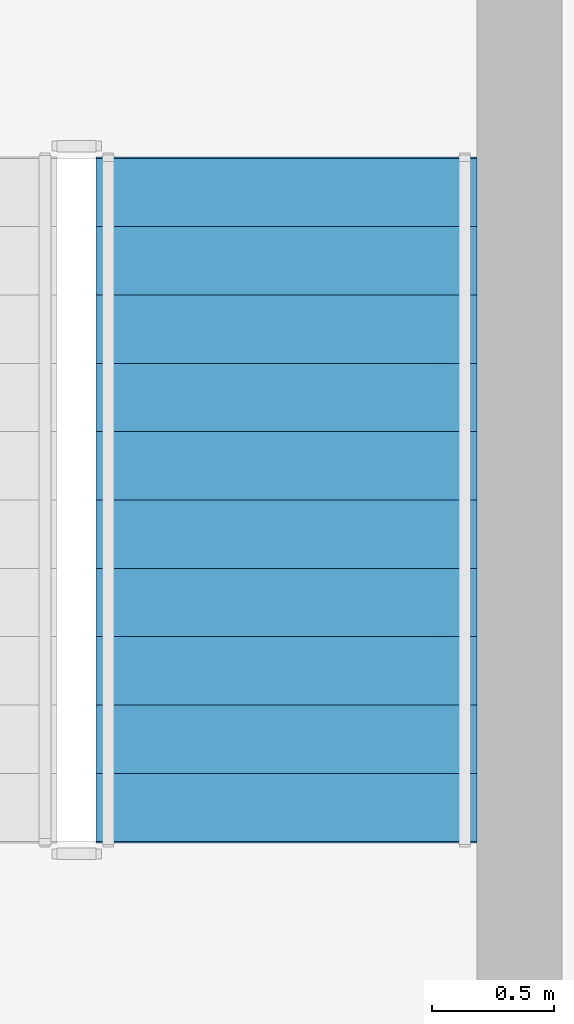
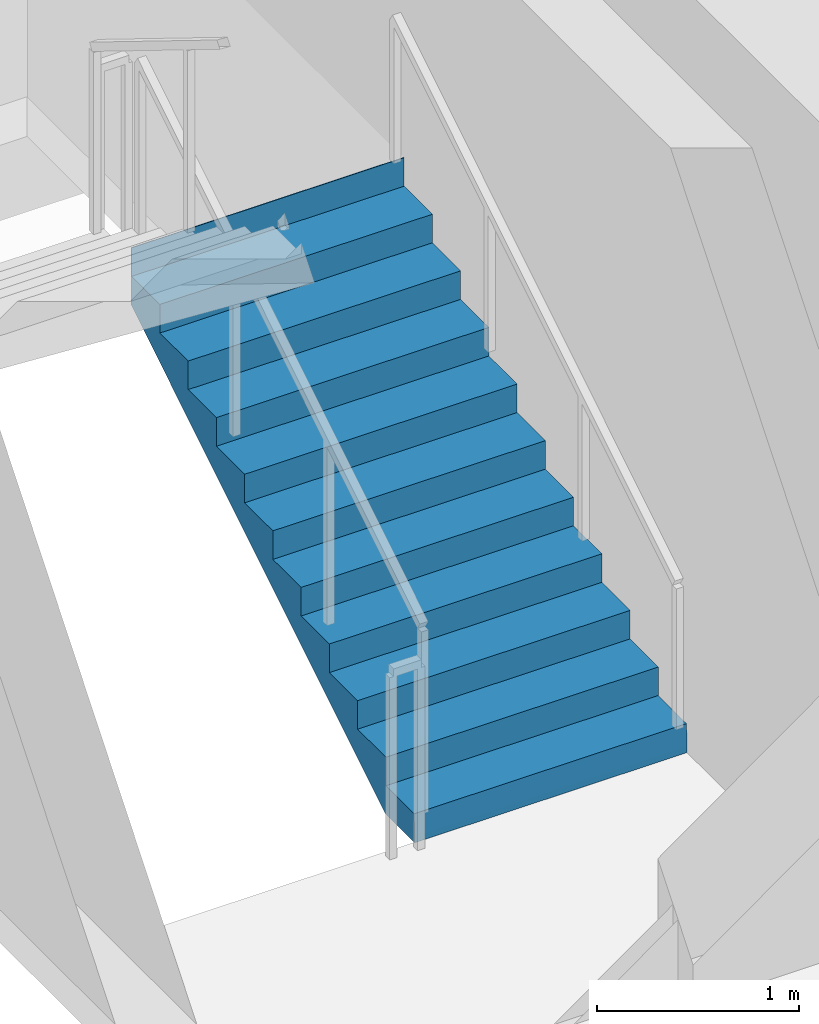
# One storey, part 9 of 14: 1 stair flight, 1 element without a shape of its own.
"""IFC4 building model written with IfcOpenShell, lengths in metres."""

import ifcopenshell
import ifcopenshell.guid

model = None  # the IFC model being written
_history = None  # IfcOwnerHistory: only IFC2X3 demands one
_inside = {}  # id of a spatial element -> (the spatial element, [elements in it])
_under = {}  # id of a project, library or spatial element -> (it, [spatial elements below it])
_declared = {}  # id of a project -> (the project, [libraries it declares])
_typed = {}  # id of a type object -> (the type object, [elements of that type])
_made_of = {}  # id of a material, layer set ... -> (it, [elements and type objects made of it])


def new_model(schema):
    """Start an empty IFC model of exactly this schema.

    Asked for "IFC4X3", IfcOpenShell would pick the latest addendum, in which some entities
    have other attributes; the version numbers below select the first issue.
    IFC2X3 requires an IfcOwnerHistory on every rooted entity: one is made here for all.
    """
    global model, _history
    if schema == "IFC4X3":
        model = ifcopenshell.file(schema_version=(4, 3, 0, 0))
    else:
        model = ifcopenshell.file(schema=schema)
    _inside.clear()
    _under.clear()
    _declared.clear()
    _typed.clear()
    _made_of.clear()
    _history = None
    if model.schema == "IFC2X3":
        org = make("IfcOrganization", Name="unknown")
        user = make(
            "IfcPersonAndOrganization",
            ThePerson=make("IfcPerson", FamilyName="unknown"),
            TheOrganization=org,
        )
        app = make(
            "IfcApplication",
            ApplicationDeveloper=org,
            Version="unknown",
            ApplicationFullName="unknown",
            ApplicationIdentifier="unknown",
        )
        _history = make(
            "IfcOwnerHistory",
            OwningUser=user,
            OwningApplication=app,
            ChangeAction="ADDED",
            CreationDate=0,
        )
    return model


def make(cls, **values):
    """One entity of the class cls with the attributes given. An attribute that is None is left unset."""
    return model.create_entity(
        cls, **{name: value for name, value in values.items() if value is not None}
    )


def rooted(cls, **values):
    """An entity with a GlobalId (a new one), such as an element, a storey or a relation."""
    return make(cls, GlobalId=ifcopenshell.guid.new(), OwnerHistory=_history, **values)


def si_unit(unit_type, name, prefix=None):
    """IfcSIUnit, for example si_unit("LENGTHUNIT", "METRE", prefix="MILLI")."""
    return make("IfcSIUnit", UnitType=unit_type, Prefix=prefix, Name=name)


def assignment(units):
    """IfcUnitAssignment: the units of a project."""
    return None if units is None else make("IfcUnitAssignment", Units=units)


def point(xyz):
    """IfcCartesianPoint."""
    return None if xyz is None else make("IfcCartesianPoint", Coordinates=xyz)


def direction(xyz):
    """IfcDirection."""
    return None if xyz is None else make("IfcDirection", DirectionRatios=xyz)


def frame(location, z_axis=None, x_axis=None):
    """IfcAxis2Placement3D, a coordinate frame: its origin and axes. An axis left out is left unset."""
    return make(
        "IfcAxis2Placement3D",
        Location=point(location),
        Axis=direction(z_axis),
        RefDirection=direction(x_axis),
    )


def origin():
    """The frame at (0, 0, 0) with its axes left unset."""
    return frame((0.0, 0.0, 0.0))


def place(relative_to, where):
    """IfcLocalPlacement: puts the frame where relative to a parent placement (None: the world)."""
    return make(
        "IfcLocalPlacement", PlacementRelTo=relative_to, RelativePlacement=where
    )


def context(
    kind, dimensions, precision=None, world=None, true_north=None, identifier=None
):
    """IfcGeometricRepresentationContext, for example the 3D "Model" context."""
    return make(
        "IfcGeometricRepresentationContext",
        ContextIdentifier=identifier,
        ContextType=kind,
        CoordinateSpaceDimension=dimensions,
        Precision=precision,
        WorldCoordinateSystem=world,
        TrueNorth=true_north,
    )


def subcontext(parent, identifier, kind, view, scale=None):
    """IfcGeometricRepresentationSubContext, for example "Body" below "Model"."""
    return make(
        "IfcGeometricRepresentationSubContext",
        ContextIdentifier=identifier,
        ContextType=kind,
        ParentContext=parent,
        TargetScale=scale,
        TargetView=view,
    )


def project(units=None, contexts=None):
    """IfcProject with its units and contexts."""
    return rooted(
        "IfcProject",
        Name="project",
        RepresentationContexts=contexts,
        UnitsInContext=assignment(units),
    )


def spatial(cls, under=None, at=None, **own):
    """A site, building, storey or space (cls), placed at a placement, below another one or the project."""
    s = rooted(cls, ObjectPlacement=at, **own)
    if under is not None:
        _under.setdefault(under.id(), (under, []))[1].append(s)
    return s


def polyline(points):
    """IfcPolyline through the points."""
    return make("IfcPolyline", Points=[point(p) for p in points])


def outline(outer, holes=None, kind="AREA"):
    """IfcArbitraryClosedProfileDef: a profile drawn as a closed curve; with holes, ...WithVoids."""
    if holes is None:
        return make("IfcArbitraryClosedProfileDef", ProfileType=kind, OuterCurve=outer)
    return make(
        "IfcArbitraryProfileDefWithVoids",
        ProfileType=kind,
        OuterCurve=outer,
        InnerCurves=holes,
    )


def extrude(swept, where, along, depth):
    """IfcExtrudedAreaSolid: the profile swept, set in the frame where, extruded along a direction by depth."""
    return make(
        "IfcExtrudedAreaSolid",
        SweptArea=swept,
        Position=where,
        ExtrudedDirection=direction(along),
        Depth=depth,
    )


def shape(context_of_items, identifier, shape_type, items):
    """IfcShapeRepresentation: the items that make up one representation, for example the "Body"."""
    return make(
        "IfcShapeRepresentation",
        ContextOfItems=context_of_items,
        RepresentationIdentifier=identifier,
        RepresentationType=shape_type,
        Items=items,
    )


def material(Name=None, Category=None):
    """IfcMaterial."""
    return make("IfcMaterial", Name=Name, Category=Category)


def made_of(thing, what):
    """Note that an element or type object is made of a material, layer set ...; save() writes the relation."""
    if what is not None:
        _made_of.setdefault(what.id(), (what, []))[1].append(thing)
    return thing


def type_object(cls, material=None, **own):
    """A type object (cls), such as IfcWallType, which elements share."""
    return made_of(rooted(cls, **own), material)


def element(
    cls,
    number,
    at=None,
    inside=None,
    cuts=None,
    type_object=None,
    material=None,
    context=None,
    identifier="Body",
    shape_type=None,
    held_by="IfcProductDefinitionShape",
    body=None,
    shapes=None,
    **own,
):
    """One element of the class cls, such as IfcWall. Its Tag is "e" and its number.

    at: its placement. inside: the storey or other place that contains it. cuts: it is an
    opening in that element (IfcRelVoidsElement). A single representation is given by context,
    identifier, shape_type and body (its items); several are given by shapes. held_by: the class
    of the entity that holds the representations. save() writes the other relations.
    """
    e = rooted(cls, Tag="e%d" % number, ObjectPlacement=at, **own)
    if body is not None:
        shapes = [shape(context, identifier, shape_type, body)]
    if shapes is not None:
        e.Representation = make(held_by, Representations=shapes)
    if inside is not None:
        _inside.setdefault(inside.id(), (inside, []))[1].append(e)
    if cuts is not None:
        rooted(
            "IfcRelVoidsElement", RelatingBuildingElement=cuts, RelatedOpeningElement=e
        )
    if type_object is not None:
        _typed.setdefault(type_object.id(), (type_object, []))[1].append(e)
    return made_of(e, material)


def aggregate(whole, parts):
    """IfcRelAggregates: a whole, such as a stair, and the parts it consists of."""
    return rooted("IfcRelAggregates", RelatingObject=whole, RelatedObjects=parts)


def save(model, path):
    """Write the relations noted so far, then the file.

    IfcRelAggregates (storeys below a building ...), IfcRelContainedInSpatialStructure (elements
    in a storey), IfcRelDefinesByType, IfcRelAssociatesMaterial and IfcRelDeclares: one each for
    every whole, place, type object, material and project.
    """
    for whole, parts in _under.values():
        aggregate(whole, parts)
    for where, things in _inside.values():
        rooted(
            "IfcRelContainedInSpatialStructure",
            RelatedElements=things,
            RelatingStructure=where,
        )
    for kind, things in _typed.values():
        rooted("IfcRelDefinesByType", RelatedObjects=things, RelatingType=kind)
    for what, things in _made_of.values():
        rooted("IfcRelAssociatesMaterial", RelatedObjects=things, RelatingMaterial=what)
    for by, libraries in _declared.values():
        rooted("IfcRelDeclares", RelatingContext=by, RelatedDefinitions=libraries)
    model.write(path)


model = new_model("IFC4")

# Units and contexts
model_context = context("Model", 3, precision=1e-05, world=origin(), true_north=direction((0.0, 1.0)))
body_context = subcontext(model_context, "Body", "Model", "MODEL_VIEW")
ifc_project = project(units=[si_unit("LENGTHUNIT", "METRE"), si_unit("AREAUNIT", "SQUARE_METRE"), si_unit("VOLUMEUNIT", "CUBIC_METRE"), si_unit("PLANEANGLEUNIT", "RADIAN"), si_unit("MASSUNIT", "GRAM", prefix="KILO")], contexts=[model_context])

# Site, building, storey
site_placement = place(None, origin())
site = spatial("IfcSite", under=ifc_project, at=site_placement, CompositionType="ELEMENT")
building_placement = place(site_placement, origin())
building = spatial("IfcBuilding", under=site, at=building_placement, Name="Kaelvorn Grand Hotel", CompositionType="ELEMENT")
storey_placement = place(building_placement, frame((0.0, 0.0, 201.550048828125)))
storey = spatial("IfcBuildingStorey", under=building, at=storey_placement, Name="L49", CompositionType="ELEMENT", Elevation=201.550048828125)

# Stair, stair flight
ifc_material = material(Name="Concrete C40/50", Category="concrete")
stair_type = type_object("IfcStairType", Name="STR-DOG-1560-R08", PredefinedType="HALF_TURN_STAIR", material=ifc_material)
stair_placement = place(storey_placement, origin())
stair = element("IfcStair", 1, at=stair_placement, inside=storey, type_object=stair_type, Name="L49 East Core Exit Stair ST3", PredefinedType="HALF_TURN_STAIR")
stair_flight_type = type_object("IfcStairFlightType", Name="FLG-DOG-1560-R08", PredefinedType="STRAIGHT", material=ifc_material)
stair_flight_placement = place(storey_placement, frame((65.820068359375, 41.760009765625, 0.0), z_axis=(0.0, 0.0, 1.0), x_axis=(0.0, 1.0, 0.0)))
stair_flight = element("IfcStairFlight", 2, at=stair_flight_placement, type_object=stair_flight_type, Name="ST3 flight 1", NumberOfRisers=11, NumberOfTreads=10, PredefinedType="STRAIGHT", RiserHeight=0.172727273, TreadLength=0.28, context=body_context, shape_type="SweptSolid", body=[
    extrude(outline(polyline([(-0.0048828125, 0.0), (-0.0048828125, 0.0400390625), (0.0, 0.172607421875), (0.280029296875, 0.172607421875), (0.280029296875, 0.345458984375), (0.56005859375, 0.345458984375), (0.56005859375, 0.51806640625), (0.840087890625, 0.51806640625), (0.840087890625, 0.69091796875), (1.1201171875, 0.69091796875), (1.1201171875, 0.863525390625), (1.39990234375, 0.863525390625), (1.39990234375, 1.036376953125), (1.679931640625, 1.036376953125), (1.679931640625, 1.208984375), (1.9599609375, 1.208984375), (1.9599609375, 1.3818359375), (2.239990234375, 1.3818359375), (2.239990234375, 1.554443359375), (2.52001953125, 1.554443359375), (2.52001953125, 1.727294921875), (2.800048828125, 1.727294921875), (2.800048828125, 1.89990234375), (2.804931640625, 1.89990234375), (2.804931640625, 1.551025390625), (0.285400390625, 0.0), (-0.0048828125, 0.0)])), frame((0.0, 0.780029296875, 0.0), z_axis=(0.0, -1.0, 0.0), x_axis=(1.0, 0.0, 0.0)), (0.0, 0.0, 1.0), 1.56005859375),
])
aggregate(stair, [stair_flight])

save(model, "model.ifc")
